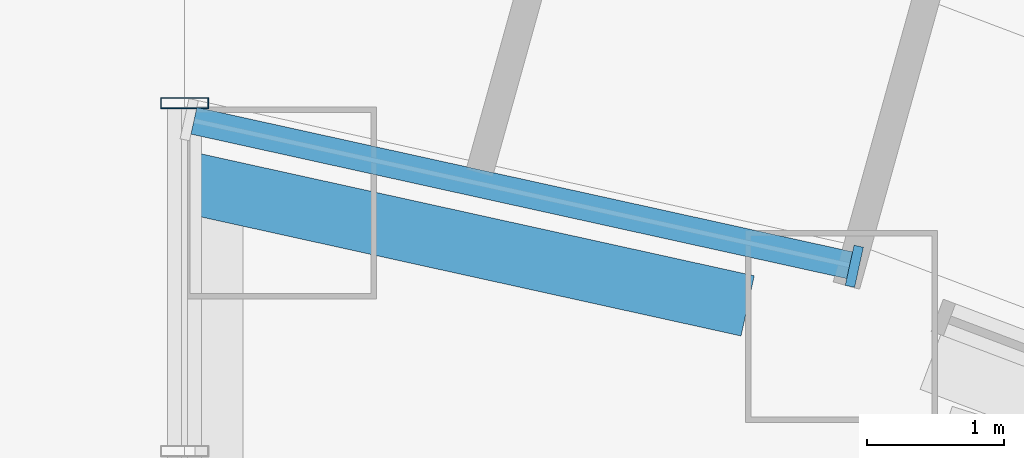
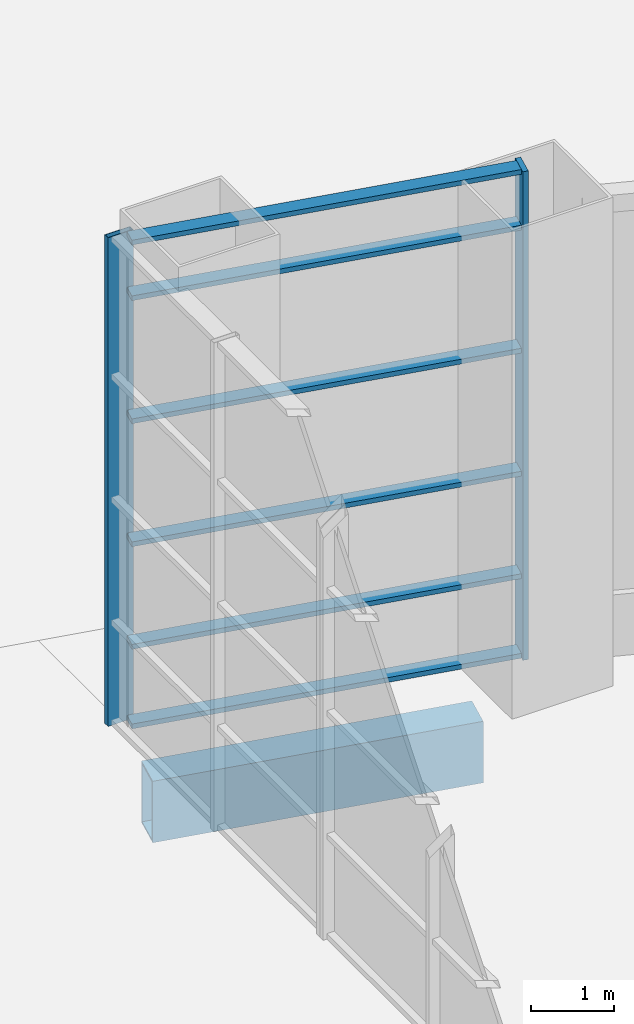
# One storey, part 25 of 45: 8 members, 1 beam, 2 elements without a shape of their own.
"""IFC4 building model written with IfcOpenShell, lengths in metres."""

from ifc_helpers import new_model, si_unit, direction, frame, origin, origin_2d, place, context, subcontext, project, spatial, rectangle, hollow_rectangle, extrude, material, layer, layer_set, material_profile, profile_set, type_object, element, aggregate, save


model = new_model("IFC4")

# Units and contexts
model_context = context("Model", 3, precision=1e-05, world=origin(), true_north=direction((0.0, 1.0)))
body_context = subcontext(model_context, "Body", "Model", "MODEL_VIEW")
ifc_project = project(units=[si_unit("LENGTHUNIT", "METRE"), si_unit("AREAUNIT", "SQUARE_METRE"), si_unit("VOLUMEUNIT", "CUBIC_METRE"), si_unit("PLANEANGLEUNIT", "RADIAN"), si_unit("MASSUNIT", "GRAM", prefix="KILO")], contexts=[model_context])

# Site, building, storey
site_placement = place(None, origin())
site = spatial("IfcSite", under=ifc_project, at=site_placement, CompositionType="ELEMENT")
building_placement = place(site_placement, origin())
building = spatial("IfcBuilding", under=site, at=building_placement, Name="Tuul Gate Civic Tower", CompositionType="ELEMENT")
storey_placement = place(building_placement, origin())
storey = spatial("IfcBuildingStorey", under=building, at=storey_placement, Name="Level 00", CompositionType="ELEMENT", Elevation=0.0)

# Curtain wall, members
ifc_material_1 = material(Name="Aluminium", Category="aluminium")
ifc_layer_1 = layer(ifc_material_1, 0.199951171875)
ifc_layer_set_1 = layer_set([ifc_layer_1], Name="Aluminium")
curtain_wall_type_1 = type_object("IfcCurtainWallType", Name="Curtain wall CW1", PredefinedType="NOTDEFINED", material=ifc_layer_set_1)
curtain_wall_1_placement = place(storey_placement, origin())
curtain_wall_1 = element("IfcCurtainWall", 1, at=curtain_wall_1_placement, inside=storey, type_object=curtain_wall_type_1, Name="Curtain wall CW1", PredefinedType="NOTDEFINED")
ifc_material_2 = material(Name="Aluminium", Category="aluminium")
ifc_material_profile_1 = material_profile(ifc_material_2, rectangle(XDim=0.300048828125, YDim=0.070068359375, at=origin_2d()), Name="CW1 mullion")
ifc_profile_set_1 = profile_set([ifc_material_profile_1], Name="Aluminium")
member_type_1 = type_object("IfcMemberType", Name="CW1 mullion", PredefinedType="MULLION", material=ifc_profile_set_1)
member_1_placement = place(storey_placement, frame((22.88671875, 17.034423828125, 0.0), z_axis=(0.0, 0.0, 1.0), x_axis=(-0.215206763662, -0.976568507005, 0.0)))
member_1 = element("IfcMember", 2, at=member_1_placement, type_object=member_type_1, Name="Mullion", PredefinedType="MULLION", context=body_context, shape_type="SweptSolid", body=[
    extrude(rectangle(XDim=0.300048828125, YDim=0.070068359375, at=origin_2d()), origin(), (0.0, 0.0, 1.0), 7.14990234375),
])
ifc_material_3 = material(Name="Aluminium", Category="aluminium")
ifc_material_profile_2 = material_profile(ifc_material_3, rectangle(XDim=0.199951171875, YDim=0.070068359375, at=origin_2d()), Name="CW1 transom")
ifc_profile_set_2 = profile_set([ifc_material_profile_2], Name="Aluminium")
member_type_2 = type_object("IfcMemberType", Name="CW1 transom", PredefinedType="USERDEFINED", material=ifc_profile_set_2)
member_2_placement = place(storey_placement, frame((22.8525390625, 17.0419921875, 0.034912109375), z_axis=(-0.976561989742, 0.215236335665, 0.0), x_axis=(-0.215236335665, -0.976561989742, 0.0)))
member_2 = element("IfcMember", 3, at=member_2_placement, type_object=member_type_2, Name="Transom", ObjectType="TRANSOM", PredefinedType="USERDEFINED", context=body_context, shape_type="SweptSolid", body=[
    extrude(rectangle(XDim=0.199951171875, YDim=0.070068359375, at=origin_2d()), origin(), (0.0, 0.0, 1.0), 4.89892578125),
])
member_3_placement = place(storey_placement, frame((22.8525390625, 17.0419921875, 1.199951171875), z_axis=(-0.976561989742, 0.215236335665, 0.0), x_axis=(-0.215236335665, -0.976561989742, 0.0)))
member_3 = element("IfcMember", 4, at=member_3_placement, type_object=member_type_2, Name="Transom", ObjectType="TRANSOM", PredefinedType="USERDEFINED", context=body_context, shape_type="SweptSolid", body=[
    extrude(rectangle(XDim=0.199951171875, YDim=0.070068359375, at=origin_2d()), origin(), (0.0, 0.0, 1.0), 4.89892578125),
])
member_4_placement = place(storey_placement, frame((22.8525390625, 17.0419921875, 2.699951171875), z_axis=(-0.976561989742, 0.215236335665, 0.0), x_axis=(-0.215236335665, -0.976561989742, 0.0)))
member_4 = element("IfcMember", 5, at=member_4_placement, type_object=member_type_2, Name="Transom", ObjectType="TRANSOM", PredefinedType="USERDEFINED", context=body_context, shape_type="SweptSolid", body=[
    extrude(rectangle(XDim=0.199951171875, YDim=0.070068359375, at=origin_2d()), origin(), (0.0, 0.0, 1.0), 4.89892578125),
])
member_5_placement = place(storey_placement, frame((22.8525390625, 17.0419921875, 4.5), z_axis=(-0.976561989742, 0.215236335665, 0.0), x_axis=(-0.215236335665, -0.976561989742, 0.0)))
member_5 = element("IfcMember", 6, at=member_5_placement, type_object=member_type_2, Name="Transom", ObjectType="TRANSOM", PredefinedType="USERDEFINED", context=body_context, shape_type="SweptSolid", body=[
    extrude(rectangle(XDim=0.199951171875, YDim=0.070068359375, at=origin_2d()), origin(), (0.0, 0.0, 1.0), 4.89892578125),
])
member_6_placement = place(storey_placement, frame((22.8525390625, 17.0419921875, 6.300048828125), z_axis=(-0.976561989742, 0.215236335665, 0.0), x_axis=(-0.215236335665, -0.976561989742, 0.0)))
member_6 = element("IfcMember", 7, at=member_6_placement, type_object=member_type_2, Name="Transom", ObjectType="TRANSOM", PredefinedType="USERDEFINED", context=body_context, shape_type="SweptSolid", body=[
    extrude(rectangle(XDim=0.199951171875, YDim=0.070068359375, at=origin_2d()), origin(), (0.0, 0.0, 1.0), 4.89892578125),
])
member_7_placement = place(storey_placement, frame((22.8525390625, 17.0419921875, 7.114990234375), z_axis=(-0.976561989742, 0.215236335665, 0.0), x_axis=(-0.215236335665, -0.976561989742, 0.0)))
member_7 = element("IfcMember", 8, at=member_7_placement, type_object=member_type_2, Name="Transom", ObjectType="TRANSOM", PredefinedType="USERDEFINED", context=body_context, shape_type="SweptSolid", body=[
    extrude(rectangle(XDim=0.199951171875, YDim=0.070068359375, at=origin_2d()), origin(), (0.0, 0.0, 1.0), 4.89892578125),
])
aggregate(curtain_wall_1, [member_1, member_2, member_3, member_4, member_5, member_6, member_7])

# Curtain wall, member
ifc_material_4 = material(Name="Stainless steel", Category="steel")
ifc_layer_2 = layer(ifc_material_4, 0.199951171875)
ifc_layer_set_2 = layer_set([ifc_layer_2], Name="Stainless steel")
curtain_wall_type_2 = type_object("IfcCurtainWallType", Name="Curtain wall CW2", PredefinedType="NOTDEFINED", material=ifc_layer_set_2)
curtain_wall_2_placement = place(storey_placement, origin())
curtain_wall_2 = element("IfcCurtainWall", 9, at=curtain_wall_2_placement, inside=storey, type_object=curtain_wall_type_2, Name="Curtain wall CW2", PredefinedType="NOTDEFINED")
ifc_material_5 = material(Name="Stainless steel", Category="steel")
ifc_material_profile_3 = material_profile(ifc_material_5, hollow_rectangle(XDim=0.35009765625, YDim=0.080078125, WallThickness=0.006103515625, at=origin_2d()), Name="CW2 mullion")
ifc_profile_set_3 = profile_set([ifc_material_profile_3], Name="Stainless steel")
member_type_3 = type_object("IfcMemberType", Name="CW2 mullion", PredefinedType="MULLION", material=ifc_profile_set_3)
member_8_placement = place(storey_placement, frame((18.0, 18.22509765625, 0.0), z_axis=(0.0, 0.0, 1.0), x_axis=(-1.0, 0.0, 0.0)))
member_8 = element("IfcMember", 10, at=member_8_placement, type_object=member_type_3, Name="Mullion", PredefinedType="MULLION", context=body_context, shape_type="SweptSolid", body=[
    extrude(hollow_rectangle(XDim=0.35009765625, YDim=0.080078125, WallThickness=0.006103515625, at=origin_2d()), origin(), (0.0, 0.0, 1.0), 7.14990234375),
])
aggregate(curtain_wall_2, [member_8])

# Beam
ifc_material_6 = material(Name="Steel S355", Category="steel")
ifc_material_profile_4 = material_profile(ifc_material_6, hollow_rectangle(XDim=0.449951171875, YDim=0.89990234375, WallThickness=0.02490234375, at=origin_2d()), Name="BOX900x450x25")
ifc_profile_set_4 = profile_set([ifc_material_profile_4], Name="Steel S355")
beam_type = type_object("IfcBeamType", Name="STR-SPANDREL BEAM-BOX900x450x25", PredefinedType="BEAM", material=ifc_profile_set_4)
beam_placement = place(storey_placement, frame((22.1083984375, 16.74560546875, -0.85009765625), z_axis=(-0.976558834527, 0.215250650888, 0.0), x_axis=(-0.215250650888, -0.976558834527, 0.0)))
element("IfcBeam", 11, at=beam_placement, inside=storey, type_object=beam_type, Name="Spandrel beam", PredefinedType="BEAM", context=body_context, shape_type="SweptSolid", body=[
    extrude(hollow_rectangle(XDim=0.449951171875, YDim=0.89990234375, WallThickness=0.02490234375, at=origin_2d()), origin(), (0.0, 0.0, 1.0), 4.15576171875),
])

save(model, "model.ifc")
